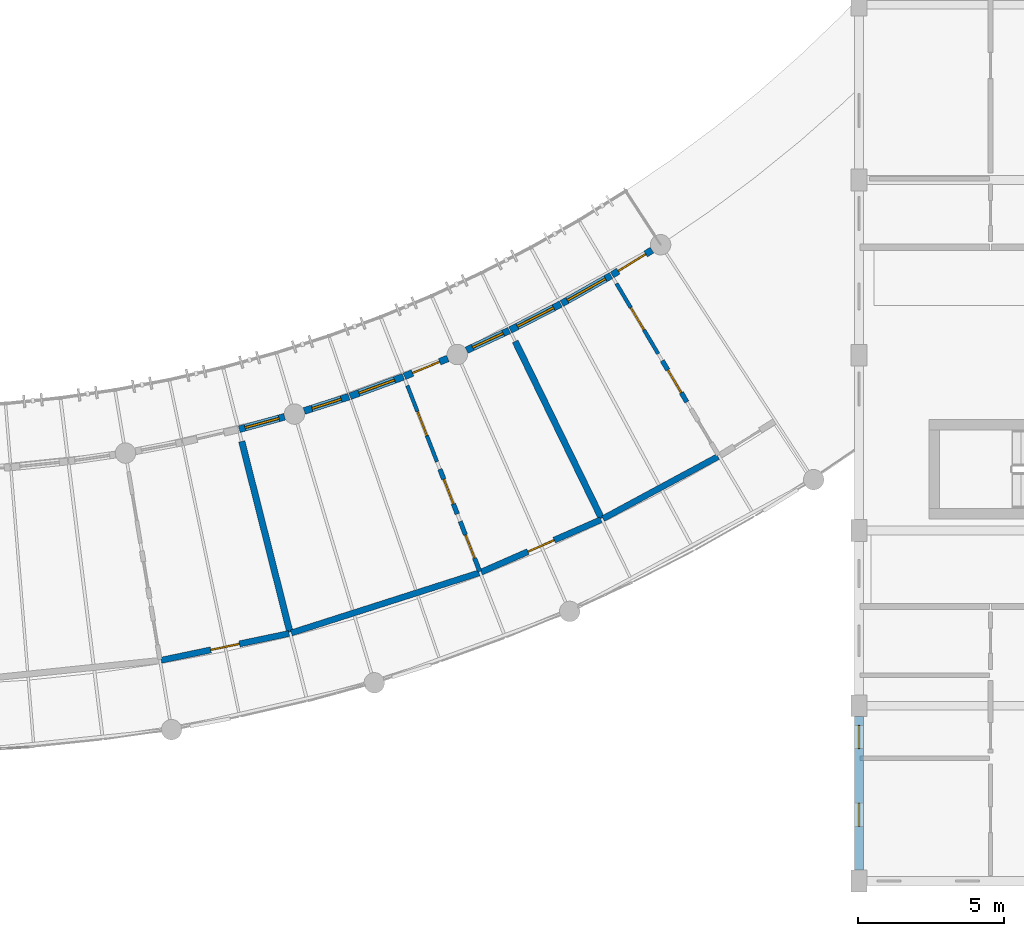
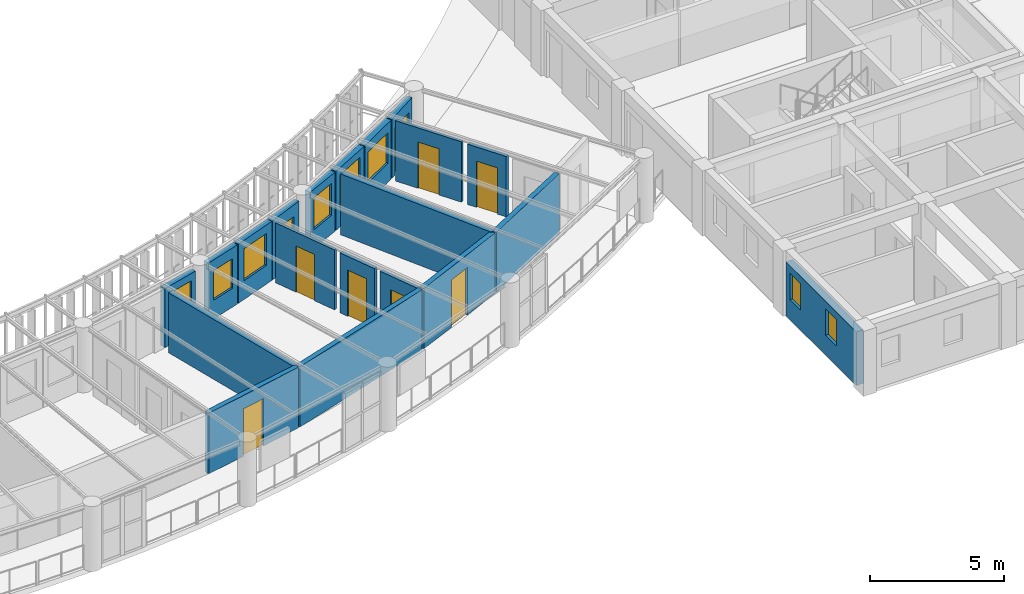
# One storey, part 82 of 123: 20 walls, 9 doors, 8 windows, 17 openings.
"""IFC4 building model written with IfcOpenShell, lengths in metres."""

from ifc_helpers import new_model, si_unit, direction, frame, frame_2d, origin, place, context, subcontext, project, spatial, rectangle, extrude, material, layer, layer_set, type_object, element, fill, save


model = new_model("IFC4")

# Units and contexts
model_context = context("Model", 3, precision=1e-05, world=origin(), true_north=direction((0.0, 1.0)))
body_context = subcontext(model_context, "Body", "Model", "MODEL_VIEW")
ifc_project = project(units=[si_unit("LENGTHUNIT", "METRE"), si_unit("AREAUNIT", "SQUARE_METRE"), si_unit("VOLUMEUNIT", "CUBIC_METRE"), si_unit("PLANEANGLEUNIT", "RADIAN"), si_unit("MASSUNIT", "GRAM", prefix="KILO"), si_unit("POWERUNIT", "WATT"), si_unit("THERMODYNAMICTEMPERATUREUNIT", "KELVIN")], contexts=[model_context])

# Site, building, storey
site_placement = place(None, origin())
site = spatial("IfcSite", under=ifc_project, at=site_placement, CompositionType="ELEMENT")
building_placement = place(site_placement, origin())
building = spatial("IfcBuilding", under=site, at=building_placement, Name="Ruvembo Vaulted Housing Court", CompositionType="ELEMENT")
storey_placement = place(building_placement, frame((0.0, 0.0, 7.699951171875)))
storey = spatial("IfcBuildingStorey", under=building, at=storey_placement, Name="L02", CompositionType="ELEMENT", Elevation=7.699951171875)

# Wall, opening, door
ifc_material_1 = material(Name="Concrete Blockwork 210", Category="masonry")
ifc_layer_1 = layer(ifc_material_1, 0.2099609375, Name="Concrete Blockwork 210")
ifc_layer_set_1 = layer_set([ifc_layer_1], Name="Concrete Blockwork 210")
wall_type_1 = type_object("IfcWallType", Name="WL-CORR-210", PredefinedType="SOLIDWALL", material=ifc_layer_set_1)
wall_1_placement = place(storey_placement, frame((78.106689453125, 7.55810546875, 0.0), z_axis=(0.0, 0.0, 1.0), x_axis=(0.978806148413, 0.204788973894, 0.0)))
wall_1 = element("IfcWall", 1, at=wall_1_placement, inside=storey, type_object=wall_type_1, Name="L02 Suite SC2-L02-U4 Entrance WL-INT-L02-00724", PredefinedType="SOLIDWALL", context=body_context, shape_type="SweptSolid", body=[
    extrude(rectangle(XDim=4.472900390625, YDim=0.2099609375, at=frame_2d((2.236328125, 0.0))), origin(), (0.0, 0.0, 1.0), 2.761962890625),
])
opening_1_placement = place(wall_1_placement, frame((1.736572265625, 0.0, 0.0)))
opening_1 = element("IfcOpeningElement", 2, at=opening_1_placement, cuts=wall_1, Name="Opening FD1", PredefinedType="OPENING", context=body_context, shape_type="SweptSolid", body=[
    extrude(rectangle(XDim=1.0, YDim=2.14990234375, at=frame_2d((0.5, 1.074951171875))), frame((0.0, 0.114990234375, 0.0), z_axis=(0.0, -1.0, 0.0), x_axis=(1.0, 0.0, 0.0)), (0.0, 0.0, 1.0), 0.22998046875),
])
ifc_material_2 = material(Name="FSC Hardwood and Engineered Timber", Category="wood")
door_type_1 = type_object("IfcDoorType", Name="DR-FLAT-1000x2150", OperationType="NOTDEFINED", PredefinedType="DOOR", material=ifc_material_2)
door_1_placement = place(opening_1_placement, origin())
door_1 = element("IfcDoor", 3, at=door_1_placement, inside=storey, type_object=door_type_1, Name="L02 Suite SC2-L02-U4 Entrance Door DR-INT-L02-00396", OperationType="SINGLE_SWING_RIGHT", OverallHeight=2.14990234375, OverallWidth=1.0, PredefinedType="DOOR", context=body_context, shape_type="SweptSolid", body=[
    extrude(rectangle(XDim=1.0, YDim=2.14990234375, at=frame_2d((0.5, 1.074951171875))), frame((0.0, 0.02490234375, 0.0), z_axis=(0.0, -1.0, 0.0), x_axis=(1.0, 0.0, 0.0)), (0.0, 0.0, 1.0), 0.050048828125),
])
fill(opening_1, door_1)

# Wall
wall_2_placement = place(storey_placement, frame((82.56201171875, 8.49462890625, 0.0), z_axis=(0.0, 0.0, 1.0), x_axis=(0.952529122406, 0.304447484746, 0.0)))
element("IfcWall", 4, at=wall_2_placement, inside=storey, type_object=wall_type_1, Name="L02 Suite SC2-L02-U5 Gallery Wall WL-INT-L02-00729", PredefinedType="SOLIDWALL", context=body_context, shape_type="SweptSolid", body=[
    extrude(rectangle(XDim=6.747314453125, YDim=0.2099609375, at=frame_2d((3.37353515625, 0.0))), origin(), (0.0, 0.0, 1.0), 2.741943359375),
])

# Wall, opening, door
wall_3_placement = place(storey_placement, frame((89.063720703125, 10.5771484375, 0.0), z_axis=(0.0, 0.0, 1.0), x_axis=(0.91610596958, 0.40093621999, 0.0)))
wall_3 = element("IfcWall", 5, at=wall_3_placement, inside=storey, type_object=wall_type_1, Name="L02 Suite SC2-L02-U5 Entrance WL-INT-L02-00730", PredefinedType="SOLIDWALL", context=body_context, shape_type="SweptSolid", body=[
    extrude(rectangle(XDim=4.47314453125, YDim=0.2099609375, at=frame_2d((2.236572265625, 0.0))), origin(), (0.0, 0.0, 1.0), 2.741943359375),
])
opening_2_placement = place(wall_3_placement, frame((1.74658203125, 0.0, 0.0)))
opening_2 = element("IfcOpeningElement", 6, at=opening_2_placement, cuts=wall_3, Name="Opening FD2", PredefinedType="OPENING", context=body_context, shape_type="SweptSolid", body=[
    extrude(rectangle(XDim=0.97998046875, YDim=2.14990234375, at=frame_2d((0.489990234375, 1.074951171875))), frame((0.0, 0.114990234375, 0.0), z_axis=(0.0, -1.0, 0.0), x_axis=(1.0, 0.0, 0.0)), (0.0, 0.0, 1.0), 0.22998046875),
])
door_type_2 = type_object("IfcDoorType", Name="DR-FLAT-0980x2150", OperationType="NOTDEFINED", PredefinedType="DOOR", material=ifc_material_2)
door_2_placement = place(opening_2_placement, origin())
door_2 = element("IfcDoor", 7, at=door_2_placement, inside=storey, type_object=door_type_2, Name="L02 Suite SC2-L02-U5 Entrance Door DR-INT-L02-00400", OperationType="SINGLE_SWING_RIGHT", OverallHeight=2.14990234375, OverallWidth=0.97998046875, PredefinedType="DOOR", context=body_context, shape_type="SweptSolid", body=[
    extrude(rectangle(XDim=0.97998046875, YDim=2.14990234375, at=frame_2d((0.489990234375, 1.074951171875))), frame((0.0, 0.02490234375, 0.0), z_axis=(0.0, -1.0, 0.0), x_axis=(1.0, 0.0, 0.0)), (0.0, 0.0, 1.0), 0.050048828125),
])
fill(opening_2, door_2)

# Walls
wall_4_placement = place(storey_placement, frame((93.2333984375, 12.405517578125, 0.0), z_axis=(0.0, 0.0, 1.0), x_axis=(0.879935975281, 0.475092285147, 0.0)))
element("IfcWall", 8, at=wall_4_placement, inside=storey, type_object=wall_type_1, Name="L02 Suite SC2-L02-U6 Gallery Wall WL-INT-L02-00735", PredefinedType="SOLIDWALL", context=body_context, shape_type="SweptSolid", body=[
    extrude(rectangle(XDim=4.472900390625, YDim=0.2099609375, at=frame_2d((2.236328125, 0.0))), origin(), (0.0, 0.0, 1.0), 2.72216796875),
])
ifc_material_3 = material(Name="Acoustic Masonry Demising 220", Category="masonry")
ifc_layer_2 = layer(ifc_material_3, 0.219970703125, Name="Acoustic Masonry Demising 220")
ifc_layer_set_2 = layer_set([ifc_layer_2], Name="Acoustic Masonry Demising 220")
wall_type_2 = type_object("IfcWallType", Name="WL-DEM-200", PredefinedType="SOLIDWALL", material=ifc_layer_set_2)
wall_5_placement = place(storey_placement, frame((80.864013671875, 15.0517578125, 0.0), z_axis=(0.0, 0.0, 1.0), x_axis=(0.244982481903, -0.969527505314, 0.0)))
element("IfcWall", 9, at=wall_5_placement, inside=storey, type_object=wall_type_2, Name="L02 Suite SC2-L02-U4 Demising WL-INT-L02-00728", PredefinedType="SOLIDWALL", context=body_context, shape_type="SweptSolid", body=[
    extrude(rectangle(XDim=6.73583984375, YDim=0.219970703125, at=frame_2d((3.367919921875, 0.0))), origin(), (0.0, 0.0, 1.0), 2.72216796875),
])
wall_6_placement = place(storey_placement, frame((90.2275390625, 18.476806640625, 0.0), z_axis=(0.0, 0.0, 1.0), x_axis=(0.438406494017, -0.898776805444, 0.0)))
element("IfcWall", 10, at=wall_6_placement, inside=storey, type_object=wall_type_2, Name="L02 Suite SC2-L02-U5 Demising WL-INT-L02-00734", PredefinedType="SOLIDWALL", context=body_context, shape_type="SweptSolid", body=[
    extrude(rectangle(XDim=6.736083984375, YDim=0.219970703125, at=frame_2d((3.3681640625, 0.0))), origin(), (0.0, 0.0, 1.0), 2.761962890625),
])

# Wall, opening, window
ifc_material_4 = material(Name="Rendered Masonry 235", Category="masonry")
ifc_layer_3 = layer(ifc_material_4, 0.235107421875, Name="Rendered Masonry 235")
ifc_layer_set_3 = layer_set([ifc_layer_3], Name="Rendered Masonry 235")
wall_type_3 = type_object("IfcWallType", Name="WL-EXT-235", PredefinedType="STANDARD", material=ifc_layer_set_3)
wall_7_placement = place(storey_placement, frame((80.779296875, 15.46826171875, 0.0), z_axis=(0.0, 0.0, 1.0), x_axis=(0.96427223836, 0.264913288318, 0.0)))
wall_7 = element("IfcWall", 11, at=wall_7_placement, inside=storey, type_object=wall_type_3, Name="Scoop SC2 L02 Concave Balcony Wall 20", PredefinedType="STANDARD", context=body_context, shape_type="SweptSolid", body=[
    extrude(rectangle(XDim=1.610107421875, YDim=0.235107421875, at=frame_2d((0.80517578125, 0.0))), origin(), (0.0, 0.0, 1.0), 2.68408203125),
])
opening_3_placement = place(wall_7_placement, frame((0.205078125, 0.0, 0.85009765625)))
opening_3 = element("IfcOpeningElement", 12, at=opening_3_placement, cuts=wall_7, Name="Opening W14", PredefinedType="OPENING", context=body_context, shape_type="SweptSolid", body=[
    extrude(rectangle(XDim=1.199951171875, YDim=1.5, at=frame_2d((0.60009765625, 0.75))), frame((0.0, 0.12744140625, 0.0), z_axis=(0.0, -1.0, 0.0), x_axis=(1.0, 0.0, 0.0)), (0.0, 0.0, 1.0), 0.255126953125),
])
ifc_material_5 = material(Name="Double Solar-Control Glazing in Aluminium Frame", Category="aluminium")
window_type_1 = type_object("IfcWindowType", Name="WIN-1200x1500", PartitioningType="SINGLE_PANEL", PredefinedType="WINDOW", material=ifc_material_5)
window_1_placement = place(opening_3_placement, origin())
window_1 = element("IfcWindow", 13, at=window_1_placement, inside=storey, type_object=window_type_1, Name="Scoop SC2 L02 Concave Window 20", OverallHeight=1.5, OverallWidth=1.199951171875, PartitioningType="SINGLE_PANEL", PredefinedType="WINDOW", context=body_context, shape_type="SweptSolid", body=[
    extrude(rectangle(XDim=1.199951171875, YDim=1.5, at=frame_2d((0.60009765625, 0.75))), frame((0.0, 0.030029296875, 0.0), z_axis=(0.0, -1.0, 0.0), x_axis=(1.0, 0.0, 0.0)), (0.0, 0.0, 1.0), 0.06005859375),
])
fill(opening_3, window_1)

wall_8_placement = place(storey_placement, frame((83.002685546875, 16.093994140625, 0.0), z_axis=(0.0, 0.0, 1.0), x_axis=(0.952508629145, 0.304511594861, 0.0)))
wall_8 = element("IfcWall", 14, at=wall_8_placement, inside=storey, type_object=wall_type_3, Name="Scoop SC2 L02 Concave Balcony Wall 21", PredefinedType="STANDARD", context=body_context, shape_type="SweptSolid", body=[
    extrude(rectangle(XDim=1.60986328125, YDim=0.235107421875, at=frame_2d((0.804931640625, 0.0))), origin(), (0.0, 0.0, 1.0), 2.68408203125),
])
opening_4_placement = place(wall_8_placement, frame((0.280029296875, 0.0, 0.85009765625)))
opening_4 = element("IfcOpeningElement", 15, at=opening_4_placement, cuts=wall_8, Name="Opening W09", PredefinedType="OPENING", context=body_context, shape_type="SweptSolid", body=[
    extrude(rectangle(XDim=1.050048828125, YDim=1.35009765625, at=frame_2d((0.52490234375, 0.675048828125))), frame((0.0, 0.12744140625, 0.0), z_axis=(0.0, -1.0, 0.0), x_axis=(1.0, 0.0, 0.0)), (0.0, 0.0, 1.0), 0.255126953125),
])
window_type_2 = type_object("IfcWindowType", Name="WIN-1050x1350", PartitioningType="SINGLE_PANEL", PredefinedType="WINDOW", material=ifc_material_5)
window_2_placement = place(opening_4_placement, origin())
window_2 = element("IfcWindow", 16, at=window_2_placement, inside=storey, type_object=window_type_2, Name="Scoop SC2 L02 Concave Window 21", OverallHeight=1.35009765625, OverallWidth=1.050048828125, PartitioningType="SINGLE_PANEL", PredefinedType="WINDOW", context=body_context, shape_type="SweptSolid", body=[
    extrude(rectangle(XDim=1.050048828125, YDim=1.35009765625, at=frame_2d((0.52490234375, 0.675048828125))), frame((0.0, 0.030029296875, 0.0), z_axis=(0.0, -1.0, 0.0), x_axis=(1.0, 0.0, 0.0)), (0.0, 0.0, 1.0), 0.06005859375),
])
fill(opening_4, window_2)

wall_9_placement = place(storey_placement, frame((84.573974609375, 16.597412109375, 0.0), z_axis=(0.0, 0.0, 1.0), x_axis=(0.939178301307, 0.343429932235, 0.0)))
wall_9 = element("IfcWall", 17, at=wall_9_placement, inside=storey, type_object=wall_type_3, Name="Scoop SC2 L02 Concave Balcony Wall 22", PredefinedType="STANDARD", context=body_context, shape_type="SweptSolid", body=[
    extrude(rectangle(XDim=1.93994140625, YDim=0.235107421875, at=frame_2d((0.969970703125, 0.0))), origin(), (0.0, 0.0, 1.0), 2.68408203125),
])
opening_5_placement = place(wall_9_placement, frame((0.320068359375, 0.0, 0.85009765625)))
opening_5 = element("IfcOpeningElement", 18, at=opening_5_placement, cuts=wall_9, Name="Opening W15", PredefinedType="OPENING", context=body_context, shape_type="SweptSolid", body=[
    extrude(rectangle(XDim=1.300048828125, YDim=1.449951171875, at=frame_2d((0.64990234375, 0.72509765625))), frame((0.0, 0.12744140625, 0.0), z_axis=(0.0, -1.0, 0.0), x_axis=(1.0, 0.0, 0.0)), (0.0, 0.0, 1.0), 0.255126953125),
])
window_type_3 = type_object("IfcWindowType", Name="WIN-1300x1450", PartitioningType="SINGLE_PANEL", PredefinedType="WINDOW", material=ifc_material_5)
window_3_placement = place(opening_5_placement, origin())
window_3 = element("IfcWindow", 19, at=window_3_placement, inside=storey, type_object=window_type_3, Name="Scoop SC2 L02 Concave Window 22", OverallHeight=1.449951171875, OverallWidth=1.300048828125, PartitioningType="SINGLE_PANEL", PredefinedType="WINDOW", context=body_context, shape_type="SweptSolid", body=[
    extrude(rectangle(XDim=1.300048828125, YDim=1.449951171875, at=frame_2d((0.64990234375, 0.72509765625))), frame((0.0, 0.030029296875, 0.0), z_axis=(0.0, -1.0, 0.0), x_axis=(1.0, 0.0, 0.0)), (0.0, 0.0, 1.0), 0.06005859375),
])
fill(opening_5, window_3)

# Wall, opening, door
wall_10_placement = place(storey_placement, frame((86.433349609375, 17.278076171875, 0.0), z_axis=(0.0, 0.0, 1.0), x_axis=(0.924159027547, 0.382007973481, 0.0)))
wall_10 = element("IfcWall", 20, at=wall_10_placement, inside=storey, type_object=wall_type_3, Name="Scoop SC2 L02 Concave Balcony Wall 23", PredefinedType="STANDARD", context=body_context, shape_type="SweptSolid", body=[
    extrude(rectangle(XDim=1.60986328125, YDim=0.235107421875, at=frame_2d((0.804931640625, 0.0))), origin(), (0.0, 0.0, 1.0), 2.68408203125),
])
opening_6_placement = place(wall_10_placement, frame((0.304931640625, 0.0, 0.0)))
opening_6 = element("IfcOpeningElement", 21, at=opening_6_placement, cuts=wall_10, Name="Opening BD1", PredefinedType="OPENING", context=body_context, shape_type="SweptSolid", body=[
    extrude(rectangle(XDim=1.0, YDim=2.14990234375, at=frame_2d((0.5, 1.074951171875))), frame((0.0, 0.12744140625, 0.0), z_axis=(0.0, -1.0, 0.0), x_axis=(1.0, 0.0, 0.0)), (0.0, 0.0, 1.0), 0.255126953125),
])
ifc_material_6 = material(Name="Thermally Broken Glazed Aluminium", Category="aluminium")
door_type_3 = type_object("IfcDoorType", Name="DR-BAL-1000x2150", OperationType="NOTDEFINED", PredefinedType="DOOR", material=ifc_material_6)
door_3_placement = place(opening_6_placement, origin())
door_3 = element("IfcDoor", 22, at=door_3_placement, inside=storey, type_object=door_type_3, Name="Scoop SC2 L02 Balcony Door 23", OperationType="SINGLE_SWING_RIGHT", OverallHeight=2.14990234375, OverallWidth=1.0, PredefinedType="DOOR", context=body_context, shape_type="SweptSolid", body=[
    extrude(rectangle(XDim=1.0, YDim=2.14990234375, at=frame_2d((0.5, 1.074951171875))), frame((0.0, 0.02490234375, 0.0), z_axis=(0.0, -1.0, 0.0), x_axis=(1.0, 0.0, 0.0)), (0.0, 0.0, 1.0), 0.050048828125),
])
fill(opening_6, door_3)

# Wall, opening, window
wall_11_placement = place(storey_placement, frame((88.5625, 18.173583984375, 0.0), z_axis=(0.0, 0.0, 1.0), x_axis=(0.907572868664, 0.419894615427, 0.0)))
wall_11 = element("IfcWall", 23, at=wall_11_placement, inside=storey, type_object=wall_type_3, Name="Scoop SC2 L02 Concave Balcony Wall 24", PredefinedType="STANDARD", context=body_context, shape_type="SweptSolid", body=[
    extrude(rectangle(XDim=1.610107421875, YDim=0.235107421875, at=frame_2d((0.80517578125, 0.0))), origin(), (0.0, 0.0, 1.0), 2.68408203125),
])
opening_7_placement = place(wall_11_placement, frame((0.22998046875, 0.0, 0.85009765625)))
opening_7 = element("IfcOpeningElement", 24, at=opening_7_placement, cuts=wall_11, Name="Opening W11", PredefinedType="OPENING", context=body_context, shape_type="SweptSolid", body=[
    extrude(rectangle(XDim=1.14990234375, YDim=1.449951171875, at=frame_2d((0.574951171875, 0.72509765625))), frame((0.0, 0.12744140625, 0.0), z_axis=(0.0, -1.0, 0.0), x_axis=(1.0, 0.0, 0.0)), (0.0, 0.0, 1.0), 0.255126953125),
])
window_type_4 = type_object("IfcWindowType", Name="WIN-1150x1450", PartitioningType="SINGLE_PANEL", PredefinedType="WINDOW", material=ifc_material_5)
window_4_placement = place(opening_7_placement, origin())
window_4 = element("IfcWindow", 25, at=window_4_placement, inside=storey, type_object=window_type_4, Name="Scoop SC2 L02 Concave Window 24", OverallHeight=1.449951171875, OverallWidth=1.14990234375, PartitioningType="SINGLE_PANEL", PredefinedType="WINDOW", context=body_context, shape_type="SweptSolid", body=[
    extrude(rectangle(XDim=1.14990234375, YDim=1.449951171875, at=frame_2d((0.574951171875, 0.72509765625))), frame((0.0, 0.030029296875, 0.0), z_axis=(0.0, -1.0, 0.0), x_axis=(1.0, 0.0, 0.0)), (0.0, 0.0, 1.0), 0.06005859375),
])
fill(opening_7, window_4)

wall_12_placement = place(storey_placement, frame((90.0595703125, 18.866943359375, 0.0), z_axis=(0.0, 0.0, 1.0), x_axis=(0.889517261343, 0.456901566832, 0.0)))
wall_12 = element("IfcWall", 26, at=wall_12_placement, inside=storey, type_object=wall_type_3, Name="Scoop SC2 L02 Concave Balcony Wall 25", PredefinedType="STANDARD", context=body_context, shape_type="SweptSolid", body=[
    extrude(rectangle(XDim=1.940185546875, YDim=0.235107421875, at=frame_2d((0.97021484375, 0.0))), origin(), (0.0, 0.0, 1.0), 2.68408203125),
])
opening_8_placement = place(wall_12_placement, frame((0.27001953125, 0.0, 0.85009765625)))
opening_8 = element("IfcOpeningElement", 27, at=opening_8_placement, cuts=wall_12, Name="Opening W17", PredefinedType="OPENING", context=body_context, shape_type="SweptSolid", body=[
    extrude(rectangle(XDim=1.39990234375, YDim=1.5, at=frame_2d((0.699951171875, 0.75))), frame((0.0, 0.12744140625, 0.0), z_axis=(0.0, -1.0, 0.0), x_axis=(1.0, 0.0, 0.0)), (0.0, 0.0, 1.0), 0.255126953125),
])
window_type_5 = type_object("IfcWindowType", Name="WIN-1400x1500", PartitioningType="SINGLE_PANEL", PredefinedType="WINDOW", material=ifc_material_5)
window_5_placement = place(opening_8_placement, origin())
window_5 = element("IfcWindow", 28, at=window_5_placement, inside=storey, type_object=window_type_5, Name="Scoop SC2 L02 Concave Window 25", OverallHeight=1.5, OverallWidth=1.39990234375, PartitioningType="SINGLE_PANEL", PredefinedType="WINDOW", context=body_context, shape_type="SweptSolid", body=[
    extrude(rectangle(XDim=1.39990234375, YDim=1.5, at=frame_2d((0.699951171875, 0.75))), frame((0.0, 0.030029296875, 0.0), z_axis=(0.0, -1.0, 0.0), x_axis=(1.0, 0.0, 0.0)), (0.0, 0.0, 1.0), 0.06005859375),
])
fill(opening_8, window_5)

wall_13_placement = place(storey_placement, frame((91.820556640625, 19.772216796875, 0.0), z_axis=(0.0, 0.0, 1.0), x_axis=(0.86993400964, 0.493168144623, 0.0)))
wall_13 = element("IfcWall", 29, at=wall_13_placement, inside=storey, type_object=wall_type_3, Name="Scoop SC2 L02 Concave Balcony Wall 26", PredefinedType="STANDARD", context=body_context, shape_type="SweptSolid", body=[
    extrude(rectangle(XDim=1.940185546875, YDim=0.235107421875, at=frame_2d((0.97021484375, 0.0))), origin(), (0.0, 0.0, 1.0), 2.68408203125),
])
opening_9_placement = place(wall_13_placement, frame((0.219970703125, 0.0, 0.85009765625)))
opening_9 = element("IfcOpeningElement", 30, at=opening_9_placement, cuts=wall_13, Name="Opening W18", PredefinedType="OPENING", context=body_context, shape_type="SweptSolid", body=[
    extrude(rectangle(XDim=1.5, YDim=1.39990234375, at=frame_2d((0.75, 0.699951171875))), frame((0.0, 0.12744140625, 0.0), z_axis=(0.0, -1.0, 0.0), x_axis=(1.0, 0.0, 0.0)), (0.0, 0.0, 1.0), 0.255126953125),
])
window_type_6 = type_object("IfcWindowType", Name="WIN-1500x1400", PartitioningType="SINGLE_PANEL", PredefinedType="WINDOW", material=ifc_material_5)
window_6_placement = place(opening_9_placement, origin())
window_6 = element("IfcWindow", 31, at=window_6_placement, inside=storey, type_object=window_type_6, Name="Scoop SC2 L02 Concave Window 26", OverallHeight=1.39990234375, OverallWidth=1.5, PartitioningType="SINGLE_PANEL", PredefinedType="WINDOW", context=body_context, shape_type="SweptSolid", body=[
    extrude(rectangle(XDim=1.5, YDim=1.39990234375, at=frame_2d((0.75, 0.699951171875))), frame((0.0, 0.030029296875, 0.0), z_axis=(0.0, -1.0, 0.0), x_axis=(1.0, 0.0, 0.0)), (0.0, 0.0, 1.0), 0.06005859375),
])
fill(opening_9, window_6)

# Wall, opening, door
wall_14_placement = place(storey_placement, frame((93.542724609375, 20.74951171875, 0.0), z_axis=(0.0, 0.0, 1.0), x_axis=(0.848934138406, 0.528498655296, 0.0)))
wall_14 = element("IfcWall", 32, at=wall_14_placement, inside=storey, type_object=wall_type_3, Name="Scoop SC2 L02 Concave Balcony Wall 27", PredefinedType="STANDARD", context=body_context, shape_type="SweptSolid", body=[
    extrude(rectangle(XDim=1.60986328125, YDim=0.235107421875, at=frame_2d((0.804931640625, 0.0))), origin(), (0.0, 0.0, 1.0), 2.68408203125),
])
opening_10_placement = place(wall_14_placement, frame((0.2548828125, 0.0, 0.0)))
opening_10 = element("IfcOpeningElement", 33, at=opening_10_placement, cuts=wall_14, Name="Opening BD3", PredefinedType="OPENING", context=body_context, shape_type="SweptSolid", body=[
    extrude(rectangle(XDim=1.10009765625, YDim=2.14990234375, at=frame_2d((0.550048828125, 1.074951171875))), frame((0.0, 0.12744140625, 0.0), z_axis=(0.0, -1.0, 0.0), x_axis=(1.0, 0.0, 0.0)), (0.0, 0.0, 1.0), 0.255126953125),
])
door_type_4 = type_object("IfcDoorType", Name="DR-BAL-1100x2150", OperationType="NOTDEFINED", PredefinedType="DOOR", material=ifc_material_6)
door_4_placement = place(opening_10_placement, origin())
door_4 = element("IfcDoor", 34, at=door_4_placement, inside=storey, type_object=door_type_4, Name="Scoop SC2 L02 Balcony Door 27", OperationType="SINGLE_SWING_LEFT", OverallHeight=2.14990234375, OverallWidth=1.10009765625, PredefinedType="DOOR", context=body_context, shape_type="SweptSolid", body=[
    extrude(rectangle(XDim=1.10009765625, YDim=2.14990234375, at=frame_2d((0.550048828125, 1.074951171875))), frame((0.0, 0.02490234375, 0.0), z_axis=(0.0, -1.0, 0.0), x_axis=(1.0, 0.0, 0.0)), (0.0, 0.0, 1.0), 0.050048828125),
])
fill(opening_10, door_4)

# Wall, openings, windows
ifc_material_7 = material(Name="Rendered Masonry 300", Category="masonry")
ifc_layer_4 = layer(ifc_material_7, 0.300048828125, Name="Rendered Masonry 300")
ifc_layer_set_4 = layer_set([ifc_layer_4], Name="Rendered Masonry 300")
wall_type_4 = type_object("IfcWallType", Name="WL-EXT-300", PredefinedType="STANDARD", material=ifc_layer_set_4)
wall_15_placement = place(storey_placement, frame((102.0, 5.625, 0.0), z_axis=(0.0, 0.0, 1.0), x_axis=(0.0, -1.0, 0.0)))
wall_15 = element("IfcWall", 35, at=wall_15_placement, inside=storey, type_object=wall_type_4, Name="Block C L02 Exterior Wall WEST #6", PredefinedType="STANDARD", context=body_context, shape_type="SweptSolid", body=[
    extrude(rectangle(XDim=5.25, YDim=0.300048828125, at=frame_2d((2.625, 0.0))), origin(), (0.0, 0.0, 1.0), 2.43701171875),
])
opening_11_placement = place(wall_15_placement, frame((0.29248046875, 0.0, 0.89990234375)))
opening_11 = element("IfcOpeningElement", 36, at=opening_11_placement, cuts=wall_15, Name="Opening W02", PredefinedType="OPENING", context=body_context, shape_type="SweptSolid", body=[
    extrude(rectangle(XDim=0.800048828125, YDim=1.199951171875, at=frame_2d((0.39990234375, 0.60009765625))), frame((0.0, 0.159912109375, 0.0), z_axis=(0.0, -1.0, 0.0), x_axis=(1.0, 0.0, 0.0)), (0.0, 0.0, 1.0), 0.320068359375),
])
opening_12_placement = place(wall_15_placement, frame((2.95751953125, 0.0, 0.89990234375)))
opening_12 = element("IfcOpeningElement", 37, at=opening_12_placement, cuts=wall_15, Name="Opening W02", PredefinedType="OPENING", context=body_context, shape_type="SweptSolid", body=[
    extrude(rectangle(XDim=0.800048828125, YDim=1.199951171875, at=frame_2d((0.39990234375, 0.60009765625))), frame((0.0, 0.159912109375, 0.0), z_axis=(0.0, -1.0, 0.0), x_axis=(1.0, 0.0, 0.0)), (0.0, 0.0, 1.0), 0.320068359375),
])
window_type_7 = type_object("IfcWindowType", Name="WIN-0800x1200", PartitioningType="SINGLE_PANEL", PredefinedType="WINDOW", material=ifc_material_5)
window_7_placement = place(opening_11_placement, origin())
window_7 = element("IfcWindow", 38, at=window_7_placement, inside=storey, type_object=window_type_7, Name="Block C L02 Window #1193", OverallHeight=1.199951171875, OverallWidth=0.800048828125, PartitioningType="SINGLE_PANEL", PredefinedType="WINDOW", context=body_context, shape_type="SweptSolid", body=[
    extrude(rectangle(XDim=0.800048828125, YDim=1.199951171875, at=frame_2d((0.39990234375, 0.60009765625))), frame((0.0, 0.030029296875, 0.0), z_axis=(0.0, -1.0, 0.0), x_axis=(1.0, 0.0, 0.0)), (0.0, 0.0, 1.0), 0.06005859375),
])
fill(opening_11, window_7)
window_8_placement = place(opening_12_placement, origin())
window_8 = element("IfcWindow", 39, at=window_8_placement, inside=storey, type_object=window_type_7, Name="Block C L02 Window #1194", OverallHeight=1.199951171875, OverallWidth=0.800048828125, PartitioningType="SINGLE_PANEL", PredefinedType="WINDOW", context=body_context, shape_type="SweptSolid", body=[
    extrude(rectangle(XDim=0.800048828125, YDim=1.199951171875, at=frame_2d((0.39990234375, 0.60009765625))), frame((0.0, 0.030029296875, 0.0), z_axis=(0.0, -1.0, 0.0), x_axis=(1.0, 0.0, 0.0)), (0.0, 0.0, 1.0), 0.06005859375),
])
fill(opening_12, window_8)

# Wall, opening, door
ifc_material_8 = material(Name="Plasterboard Stud Partition 125", Category="gypsum")
ifc_layer_5 = layer(ifc_material_8, 0.125, Name="Plasterboard Stud Partition 125")
ifc_layer_set_5 = layer_set([ifc_layer_5], Name="Plasterboard Stud Partition 125")
wall_type_5 = type_object("IfcWallType", Name="WL-PART-125", PredefinedType="PARTITIONING", material=ifc_layer_set_5)
wall_16_placement = place(storey_placement, frame((86.53369140625, 16.96484375, 0.0), z_axis=(0.0, 0.0, 1.0), x_axis=(0.362896442288, -0.93182947591, 0.0)))
wall_16 = element("IfcWall", 40, at=wall_16_placement, inside=storey, type_object=wall_type_5, Name="L02 Suite SC2-L02-U5 Bedroom WL-INT-L02-00731", PredefinedType="PARTITIONING", context=body_context, shape_type="SweptSolid", body=[
    extrude(rectangle(XDim=2.800048828125, YDim=0.125, at=frame_2d((1.39990234375, 0.0))), origin(), (0.0, 0.0, 1.0), 2.72216796875),
])
opening_13_placement = place(wall_16_placement, frame((0.9599609375, 0.0, 0.0)))
opening_13 = element("IfcOpeningElement", 41, at=opening_13_placement, cuts=wall_16, Name="Opening ID3", PredefinedType="OPENING", context=body_context, shape_type="SweptSolid", body=[
    extrude(rectangle(XDim=0.8798828125, YDim=2.10009765625, at=frame_2d((0.43994140625, 1.050048828125))), frame((0.0, 0.072509765625, 0.0), z_axis=(0.0, -1.0, 0.0), x_axis=(1.0, 0.0, 0.0)), (0.0, 0.0, 1.0), 0.14501953125),
])
door_type_5 = type_object("IfcDoorType", Name="DR-ROOM-0880x2100", OperationType="NOTDEFINED", PredefinedType="DOOR", material=ifc_material_2)
door_5_placement = place(opening_13_placement, origin())
door_5 = element("IfcDoor", 42, at=door_5_placement, inside=storey, type_object=door_type_5, Name="L02 Suite SC2-L02-U5 Bedroom Door DR-INT-L02-00401", OperationType="SINGLE_SWING_LEFT", OverallHeight=2.10009765625, OverallWidth=0.8798828125, PredefinedType="DOOR", context=body_context, shape_type="SweptSolid", body=[
    extrude(rectangle(XDim=0.8798828125, YDim=2.10009765625, at=frame_2d((0.43994140625, 1.050048828125))), frame((0.0, 0.02490234375, 0.0), z_axis=(0.0, -1.0, 0.0), x_axis=(1.0, 0.0, 0.0)), (0.0, 0.0, 1.0), 0.050048828125),
])
fill(opening_13, door_5)

wall_17_placement = place(storey_placement, frame((93.693359375, 20.456787109375, 0.0), z_axis=(0.0, 0.0, 1.0), x_axis=(0.510939588664, -0.859616621952, 0.0)))
wall_17 = element("IfcWall", 43, at=wall_17_placement, inside=storey, type_object=wall_type_5, Name="L02 Suite SC2-L02-U6 Bedroom WL-INT-L02-00737", PredefinedType="PARTITIONING", context=body_context, shape_type="SweptSolid", body=[
    extrude(rectangle(XDim=2.800048828125, YDim=0.125, at=frame_2d((1.39990234375, 0.0))), origin(), (0.0, 0.0, 1.0), 2.741943359375),
])
opening_14_placement = place(wall_17_placement, frame((0.9599609375, 0.0, 0.0)))
opening_14 = element("IfcOpeningElement", 44, at=opening_14_placement, cuts=wall_17, Name="Opening ID3", PredefinedType="OPENING", context=body_context, shape_type="SweptSolid", body=[
    extrude(rectangle(XDim=0.8798828125, YDim=2.10009765625, at=frame_2d((0.43994140625, 1.050048828125))), frame((0.0, 0.072509765625, 0.0), z_axis=(0.0, -1.0, 0.0), x_axis=(1.0, 0.0, 0.0)), (0.0, 0.0, 1.0), 0.14501953125),
])
door_6_placement = place(opening_14_placement, origin())
door_6 = element("IfcDoor", 45, at=door_6_placement, inside=storey, type_object=door_type_5, Name="L02 Suite SC2-L02-U6 Bedroom Door DR-INT-L02-00405", OperationType="SINGLE_SWING_LEFT", OverallHeight=2.10009765625, OverallWidth=0.8798828125, PredefinedType="DOOR", context=body_context, shape_type="SweptSolid", body=[
    extrude(rectangle(XDim=0.8798828125, YDim=2.10009765625, at=frame_2d((0.43994140625, 1.050048828125))), frame((0.0, 0.02490234375, 0.0), z_axis=(0.0, -1.0, 0.0), x_axis=(1.0, 0.0, 0.0)), (0.0, 0.0, 1.0), 0.050048828125),
])
fill(opening_14, door_6)

ifc_material_9 = material(Name="Moisture-Resistant Wet Partition 150", Category="gypsum")
ifc_layer_6 = layer(ifc_material_9, 0.14990234375, Name="Moisture-Resistant Wet Partition 150")
ifc_layer_set_6 = layer_set([ifc_layer_6], Name="Moisture-Resistant Wet Partition 150")
wall_type_6 = type_object("IfcWallType", Name="WL-PART-150", PredefinedType="PARTITIONING", material=ifc_layer_set_6)
wall_18_placement = place(storey_placement, frame((88.344970703125, 12.31298828125, 0.0), z_axis=(0.0, 0.0, 1.0), x_axis=(0.362772804225, -0.931877616705, 0.0)))
wall_18 = element("IfcWall", 46, at=wall_18_placement, inside=storey, type_object=wall_type_6, Name="L02 Suite SC2-L02-U5 Bathroom WL-INT-L02-00733", PredefinedType="PARTITIONING", context=body_context, shape_type="SweptSolid", body=[
    extrude(rectangle(XDim=1.83984375, YDim=0.14990234375, at=frame_2d((0.919921875, 0.0))), origin(), (0.0, 0.0, 1.0), 2.72216796875),
])
opening_15_placement = place(wall_18_placement, frame((0.4951171875, 0.0, 0.0)))
opening_15 = element("IfcOpeningElement", 47, at=opening_15_placement, cuts=wall_18, Name="Opening ID2", PredefinedType="OPENING", context=body_context, shape_type="SweptSolid", body=[
    extrude(rectangle(XDim=0.85009765625, YDim=2.10009765625, at=frame_2d((0.425048828125, 1.050048828125))), frame((0.0, 0.0849609375, 0.0), z_axis=(0.0, -1.0, 0.0), x_axis=(1.0, 0.0, 0.0)), (0.0, 0.0, 1.0), 0.169921875),
])
door_type_6 = type_object("IfcDoorType", Name="DR-WET-0850x2100", OperationType="NOTDEFINED", PredefinedType="DOOR", material=ifc_material_2)
door_7_placement = place(opening_15_placement, origin())
door_7 = element("IfcDoor", 48, at=door_7_placement, inside=storey, type_object=door_type_6, Name="L02 Suite SC2-L02-U5 Bathroom Door DR-INT-L02-00403", OperationType="SINGLE_SWING_LEFT", OverallHeight=2.10009765625, OverallWidth=0.85009765625, PredefinedType="DOOR", context=body_context, shape_type="SweptSolid", body=[
    extrude(rectangle(XDim=0.85009765625, YDim=2.10009765625, at=frame_2d((0.425048828125, 1.050048828125))), frame((0.0, 0.02490234375, 0.0), z_axis=(0.0, -1.0, 0.0), x_axis=(1.0, 0.0, 0.0)), (0.0, 0.0, 1.0), 0.050048828125),
])
fill(opening_15, door_7)

ifc_material_10 = material(Name="Acoustic Service Chase Wall 160", Category="gypsum")
ifc_layer_7 = layer(ifc_material_10, 0.159912109375, Name="Acoustic Service Chase Wall 160")
ifc_layer_set_7 = layer_set([ifc_layer_7], Name="Acoustic Service Chase Wall 160")
wall_type_7 = type_object("IfcWallType", Name="WL-PLUMB-160", PredefinedType="PLUMBINGWALL", material=ifc_layer_set_7)
wall_19_placement = place(storey_placement, frame((87.648193359375, 14.10205078125, 0.0), z_axis=(0.0, 0.0, 1.0), x_axis=(0.362817996081, -0.9318600226, 0.0)))
wall_19 = element("IfcWall", 49, at=wall_19_placement, inside=storey, type_object=wall_type_7, Name="L02 Suite SC2-L02-U5 Kitchen WL-INT-L02-00732", PredefinedType="PLUMBINGWALL", context=body_context, shape_type="SweptSolid", body=[
    extrude(rectangle(XDim=1.64794921875, YDim=0.159912109375, at=frame_2d((0.823974609375, 0.0))), origin(), (0.0, 0.0, 1.0), 2.72216796875),
])
opening_16_placement = place(wall_19_placement, frame((0.373779296875, 0.0, 0.0)))
opening_16 = element("IfcOpeningElement", 50, at=opening_16_placement, cuts=wall_19, Name="Opening ID1", PredefinedType="OPENING", context=body_context, shape_type="SweptSolid", body=[
    extrude(rectangle(XDim=0.89990234375, YDim=2.10009765625, at=frame_2d((0.449951171875, 1.050048828125))), frame((0.0, 0.08984375, 0.0), z_axis=(0.0, -1.0, 0.0), x_axis=(1.0, 0.0, 0.0)), (0.0, 0.0, 1.0), 0.179931640625),
])
door_type_7 = type_object("IfcDoorType", Name="DR-ROOM-0900x2100", OperationType="NOTDEFINED", PredefinedType="DOOR", material=ifc_material_2)
door_8_placement = place(opening_16_placement, origin())
door_8 = element("IfcDoor", 51, at=door_8_placement, inside=storey, type_object=door_type_7, Name="L02 Suite SC2-L02-U5 Kitchen Door DR-INT-L02-00402", OperationType="SINGLE_SWING_RIGHT", OverallHeight=2.10009765625, OverallWidth=0.89990234375, PredefinedType="DOOR", context=body_context, shape_type="SweptSolid", body=[
    extrude(rectangle(XDim=0.89990234375, YDim=2.10009765625, at=frame_2d((0.449951171875, 1.050048828125))), frame((0.0, 0.02490234375, 0.0), z_axis=(0.0, -1.0, 0.0), x_axis=(1.0, 0.0, 0.0)), (0.0, 0.0, 1.0), 0.050048828125),
])
fill(opening_16, door_8)

wall_20_placement = place(storey_placement, frame((95.262939453125, 17.816162109375, 0.0), z_axis=(0.0, 0.0, 1.0), x_axis=(0.510918615189, -0.859629087835, 0.0)))
wall_20 = element("IfcWall", 52, at=wall_20_placement, inside=storey, type_object=wall_type_7, Name="L02 Suite SC2-L02-U6 Kitchen WL-INT-L02-00738", PredefinedType="PLUMBINGWALL", context=body_context, shape_type="SweptSolid", body=[
    extrude(rectangle(XDim=1.648193359375, YDim=0.159912109375, at=frame_2d((0.82421875, 0.0))), origin(), (0.0, 0.0, 1.0), 2.741943359375),
])
opening_17_placement = place(wall_20_placement, frame((0.3740234375, 0.0, 0.0)))
opening_17 = element("IfcOpeningElement", 53, at=opening_17_placement, cuts=wall_20, Name="Opening ID1", PredefinedType="OPENING", context=body_context, shape_type="SweptSolid", body=[
    extrude(rectangle(XDim=0.89990234375, YDim=2.10009765625, at=frame_2d((0.449951171875, 1.050048828125))), frame((0.0, 0.08984375, 0.0), z_axis=(0.0, -1.0, 0.0), x_axis=(1.0, 0.0, 0.0)), (0.0, 0.0, 1.0), 0.179931640625),
])
door_9_placement = place(opening_17_placement, origin())
door_9 = element("IfcDoor", 54, at=door_9_placement, inside=storey, type_object=door_type_7, Name="L02 Suite SC2-L02-U6 Kitchen Door DR-INT-L02-00406", OperationType="SINGLE_SWING_RIGHT", OverallHeight=2.10009765625, OverallWidth=0.89990234375, PredefinedType="DOOR", context=body_context, shape_type="SweptSolid", body=[
    extrude(rectangle(XDim=0.89990234375, YDim=2.10009765625, at=frame_2d((0.449951171875, 1.050048828125))), frame((0.0, 0.02490234375, 0.0), z_axis=(0.0, -1.0, 0.0), x_axis=(1.0, 0.0, 0.0)), (0.0, 0.0, 1.0), 0.050048828125),
])
fill(opening_17, door_9)

save(model, "model.ifc")
